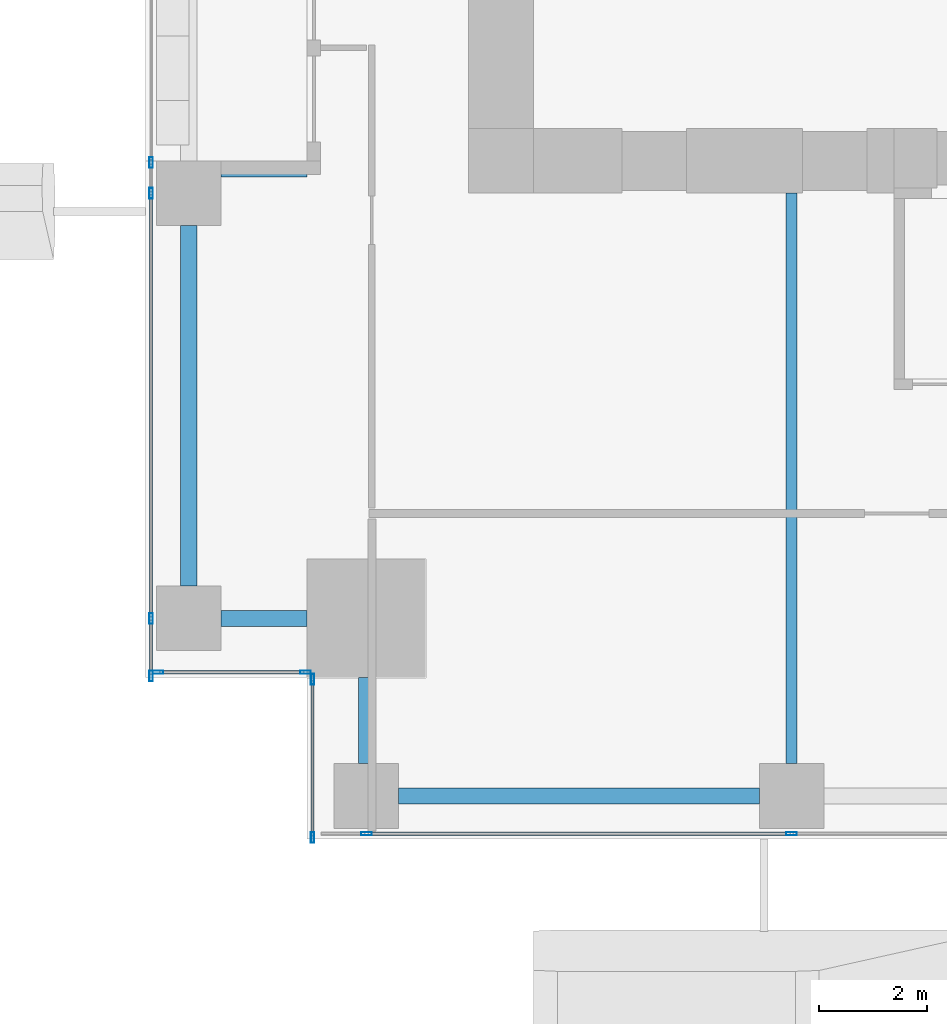
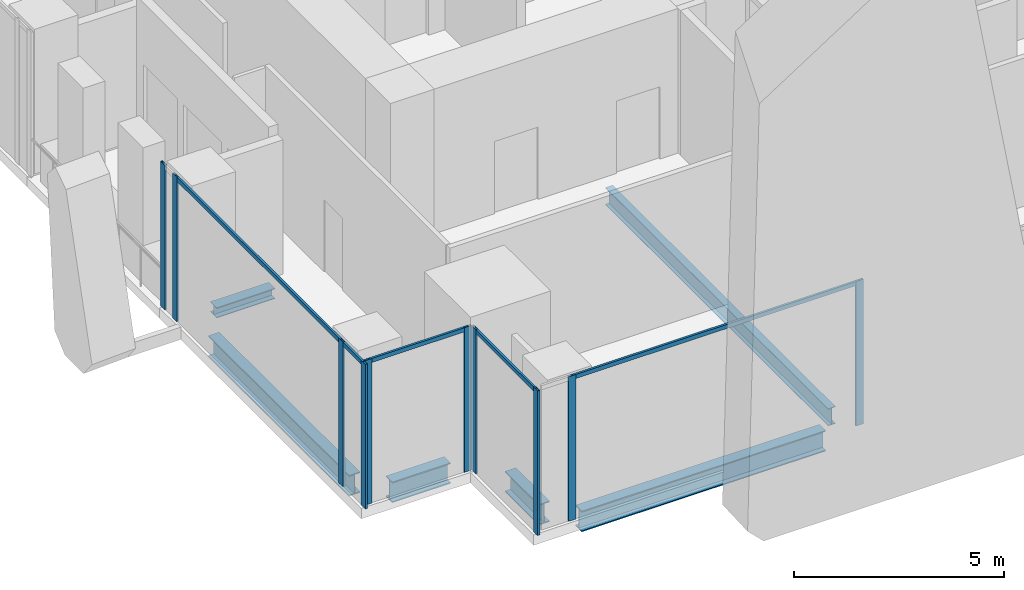
# One storey, part 2 of 34: 15 members, 6 beams, 4 elements without a shape of their own.
"""IFC4 building model written with IfcOpenShell, lengths in metres."""

import ifcopenshell
import ifcopenshell.guid

model = None  # the IFC model being written
_history = None  # IfcOwnerHistory: only IFC2X3 demands one
_inside = {}  # id of a spatial element -> (the spatial element, [elements in it])
_under = {}  # id of a project, library or spatial element -> (it, [spatial elements below it])
_declared = {}  # id of a project -> (the project, [libraries it declares])
_typed = {}  # id of a type object -> (the type object, [elements of that type])
_made_of = {}  # id of a material, layer set ... -> (it, [elements and type objects made of it])


def new_model(schema):
    """Start an empty IFC model of exactly this schema.

    Asked for "IFC4X3", IfcOpenShell would pick the latest addendum, in which some entities
    have other attributes; the version numbers below select the first issue.
    IFC2X3 requires an IfcOwnerHistory on every rooted entity: one is made here for all.
    """
    global model, _history
    if schema == "IFC4X3":
        model = ifcopenshell.file(schema_version=(4, 3, 0, 0))
    else:
        model = ifcopenshell.file(schema=schema)
    _inside.clear()
    _under.clear()
    _declared.clear()
    _typed.clear()
    _made_of.clear()
    _history = None
    if model.schema == "IFC2X3":
        org = make("IfcOrganization", Name="unknown")
        user = make(
            "IfcPersonAndOrganization",
            ThePerson=make("IfcPerson", FamilyName="unknown"),
            TheOrganization=org,
        )
        app = make(
            "IfcApplication",
            ApplicationDeveloper=org,
            Version="unknown",
            ApplicationFullName="unknown",
            ApplicationIdentifier="unknown",
        )
        _history = make(
            "IfcOwnerHistory",
            OwningUser=user,
            OwningApplication=app,
            ChangeAction="ADDED",
            CreationDate=0,
        )
    return model


def make(cls, **values):
    """One entity of the class cls with the attributes given. An attribute that is None is left unset."""
    return model.create_entity(
        cls, **{name: value for name, value in values.items() if value is not None}
    )


def rooted(cls, **values):
    """An entity with a GlobalId (a new one), such as an element, a storey or a relation."""
    return make(cls, GlobalId=ifcopenshell.guid.new(), OwnerHistory=_history, **values)


def si_unit(unit_type, name, prefix=None):
    """IfcSIUnit, for example si_unit("LENGTHUNIT", "METRE", prefix="MILLI")."""
    return make("IfcSIUnit", UnitType=unit_type, Prefix=prefix, Name=name)


def assignment(units):
    """IfcUnitAssignment: the units of a project."""
    return None if units is None else make("IfcUnitAssignment", Units=units)


def point(xyz):
    """IfcCartesianPoint."""
    return None if xyz is None else make("IfcCartesianPoint", Coordinates=xyz)


def direction(xyz):
    """IfcDirection."""
    return None if xyz is None else make("IfcDirection", DirectionRatios=xyz)


def frame(location, z_axis=None, x_axis=None):
    """IfcAxis2Placement3D, a coordinate frame: its origin and axes. An axis left out is left unset."""
    return make(
        "IfcAxis2Placement3D",
        Location=point(location),
        Axis=direction(z_axis),
        RefDirection=direction(x_axis),
    )


def frame_2d(location, x_axis=None):
    """IfcAxis2Placement2D, a coordinate frame in the plane: its origin and x axis."""
    return make(
        "IfcAxis2Placement2D", Location=point(location), RefDirection=direction(x_axis)
    )


def origin():
    """The frame at (0, 0, 0) with its axes left unset."""
    return frame((0.0, 0.0, 0.0))


def origin_2d():
    """The frame at (0, 0) in the plane with its x axis left unset."""
    return frame_2d((0.0, 0.0))


def place(relative_to, where):
    """IfcLocalPlacement: puts the frame where relative to a parent placement (None: the world)."""
    return make(
        "IfcLocalPlacement", PlacementRelTo=relative_to, RelativePlacement=where
    )


def context(
    kind, dimensions, precision=None, world=None, true_north=None, identifier=None
):
    """IfcGeometricRepresentationContext, for example the 3D "Model" context."""
    return make(
        "IfcGeometricRepresentationContext",
        ContextIdentifier=identifier,
        ContextType=kind,
        CoordinateSpaceDimension=dimensions,
        Precision=precision,
        WorldCoordinateSystem=world,
        TrueNorth=true_north,
    )


def subcontext(parent, identifier, kind, view, scale=None):
    """IfcGeometricRepresentationSubContext, for example "Body" below "Model"."""
    return make(
        "IfcGeometricRepresentationSubContext",
        ContextIdentifier=identifier,
        ContextType=kind,
        ParentContext=parent,
        TargetScale=scale,
        TargetView=view,
    )


def project(units=None, contexts=None):
    """IfcProject with its units and contexts."""
    return rooted(
        "IfcProject",
        Name="project",
        RepresentationContexts=contexts,
        UnitsInContext=assignment(units),
    )


def spatial(cls, under=None, at=None, **own):
    """A site, building, storey or space (cls), placed at a placement, below another one or the project."""
    s = rooted(cls, ObjectPlacement=at, **own)
    if under is not None:
        _under.setdefault(under.id(), (under, []))[1].append(s)
    return s


def profile(cls, at=None, kind="AREA", **sizes):
    """A parametric profile (cls). Its sizes go by their IFC names, for example OverallWidth=200.0."""
    return make(cls, ProfileType=kind, Position=at, **sizes)


def hollow_rectangle(**sizes):
    """IfcRectangleHollowProfileDef."""
    return profile("IfcRectangleHollowProfileDef", **sizes)


def i_section(**sizes):
    """IfcIShapeProfileDef."""
    return profile("IfcIShapeProfileDef", **sizes)


def extrude(swept, where, along, depth):
    """IfcExtrudedAreaSolid: the profile swept, set in the frame where, extruded along a direction by depth."""
    return make(
        "IfcExtrudedAreaSolid",
        SweptArea=swept,
        Position=where,
        ExtrudedDirection=direction(along),
        Depth=depth,
    )


def shape(context_of_items, identifier, shape_type, items):
    """IfcShapeRepresentation: the items that make up one representation, for example the "Body"."""
    return make(
        "IfcShapeRepresentation",
        ContextOfItems=context_of_items,
        RepresentationIdentifier=identifier,
        RepresentationType=shape_type,
        Items=items,
    )


def source(mapping_origin, context_of_items, identifier, shape_type, items):
    """IfcRepresentationMap: a shape defined once, which mapped items show again and again."""
    return make(
        "IfcRepresentationMap",
        MappingOrigin=mapping_origin,
        MappedRepresentation=shape(context_of_items, identifier, shape_type, items),
    )


def transform(
    local_origin,
    x_axis=None,
    y_axis=None,
    z_axis=None,
    scale=None,
    scale2=None,
    scale3=None,
    uniform=True,
):
    """IfcCartesianTransformationOperator3D, or its non-uniform kind. x_axis, y_axis, z_axis: its Axis1, 2, 3."""
    if uniform:
        return make(
            "IfcCartesianTransformationOperator3D",
            Axis1=direction(x_axis),
            Axis2=direction(y_axis),
            LocalOrigin=point(local_origin),
            Scale=scale,
            Axis3=direction(z_axis),
        )
    return make(
        "IfcCartesianTransformationOperator3DnonUniform",
        Axis1=direction(x_axis),
        Axis2=direction(y_axis),
        LocalOrigin=point(local_origin),
        Scale=scale,
        Axis3=direction(z_axis),
        Scale2=scale2,
        Scale3=scale3,
    )


def mapped(mapping_source, mapping_target):
    """IfcMappedItem: shows the shape of a source again, moved by a transform."""
    return make(
        "IfcMappedItem", MappingSource=mapping_source, MappingTarget=mapping_target
    )


def material(Name=None, Category=None):
    """IfcMaterial."""
    return make("IfcMaterial", Name=Name, Category=Category)


def material_profile(
    of_material, cross_section, Name=None, Category=None, Priority=None
):
    """IfcMaterialProfile: a cross section and its material."""
    return make(
        "IfcMaterialProfile",
        Name=Name,
        Material=of_material,
        Profile=cross_section,
        Priority=Priority,
        Category=Category,
    )


def profile_set(profiles, Name=None, composite=None):
    """IfcMaterialProfileSet."""
    return make(
        "IfcMaterialProfileSet",
        Name=Name,
        MaterialProfiles=profiles,
        CompositeProfile=composite,
    )


def made_of(thing, what):
    """Note that an element or type object is made of a material, layer set ...; save() writes the relation."""
    if what is not None:
        _made_of.setdefault(what.id(), (what, []))[1].append(thing)
    return thing


def type_object(cls, material=None, **own):
    """A type object (cls), such as IfcWallType, which elements share."""
    return made_of(rooted(cls, **own), material)


def element(
    cls,
    number,
    at=None,
    inside=None,
    cuts=None,
    type_object=None,
    material=None,
    context=None,
    identifier="Body",
    shape_type=None,
    held_by="IfcProductDefinitionShape",
    body=None,
    shapes=None,
    **own,
):
    """One element of the class cls, such as IfcWall. Its Tag is "e" and its number.

    at: its placement. inside: the storey or other place that contains it. cuts: it is an
    opening in that element (IfcRelVoidsElement). A single representation is given by context,
    identifier, shape_type and body (its items); several are given by shapes. held_by: the class
    of the entity that holds the representations. save() writes the other relations.
    """
    e = rooted(cls, Tag="e%d" % number, ObjectPlacement=at, **own)
    if body is not None:
        shapes = [shape(context, identifier, shape_type, body)]
    if shapes is not None:
        e.Representation = make(held_by, Representations=shapes)
    if inside is not None:
        _inside.setdefault(inside.id(), (inside, []))[1].append(e)
    if cuts is not None:
        rooted(
            "IfcRelVoidsElement", RelatingBuildingElement=cuts, RelatedOpeningElement=e
        )
    if type_object is not None:
        _typed.setdefault(type_object.id(), (type_object, []))[1].append(e)
    return made_of(e, material)


def aggregate(whole, parts):
    """IfcRelAggregates: a whole, such as a stair, and the parts it consists of."""
    return rooted("IfcRelAggregates", RelatingObject=whole, RelatedObjects=parts)


def save(model, path):
    """Write the relations noted so far, then the file.

    IfcRelAggregates (storeys below a building ...), IfcRelContainedInSpatialStructure (elements
    in a storey), IfcRelDefinesByType, IfcRelAssociatesMaterial and IfcRelDeclares: one each for
    every whole, place, type object, material and project.
    """
    for whole, parts in _under.values():
        aggregate(whole, parts)
    for where, things in _inside.values():
        rooted(
            "IfcRelContainedInSpatialStructure",
            RelatedElements=things,
            RelatingStructure=where,
        )
    for kind, things in _typed.values():
        rooted("IfcRelDefinesByType", RelatedObjects=things, RelatingType=kind)
    for what, things in _made_of.values():
        rooted("IfcRelAssociatesMaterial", RelatedObjects=things, RelatingMaterial=what)
    for by, libraries in _declared.values():
        rooted("IfcRelDeclares", RelatingContext=by, RelatedDefinitions=libraries)
    model.write(path)


model = new_model("IFC4")

# Units and contexts
model_context = context("Model", 3, precision=1e-05, world=origin(), true_north=direction((0.0, 1.0)))
body_context = subcontext(model_context, "Body", "Model", "MODEL_VIEW")
ifc_project = project(units=[si_unit("LENGTHUNIT", "METRE"), si_unit("AREAUNIT", "SQUARE_METRE"), si_unit("VOLUMEUNIT", "CUBIC_METRE"), si_unit("PLANEANGLEUNIT", "RADIAN"), si_unit("MASSUNIT", "GRAM", prefix="KILO")], contexts=[model_context])

# Site, building, storey
site_placement = place(None, origin())
site = spatial("IfcSite", under=ifc_project, at=site_placement, CompositionType="ELEMENT")
building_placement = place(site_placement, origin())
building = spatial("IfcBuilding", under=site, at=building_placement, Name="Khomas Fold Tower", CompositionType="ELEMENT")
storey_placement = place(building_placement, frame((0.0, 0.0, 51.0)))
storey = spatial("IfcBuildingStorey", under=building, at=storey_placement, Name="L10", CompositionType="ELEMENT", Elevation=51.0)

# Beams
ifc_material_1 = material(Name="Steel S355", Category="steel")
ifc_material_profile_1 = material_profile(ifc_material_1, i_section(OverallWidth=0.199951171875, OverallDepth=0.5, WebThickness=0.01025390625, FlangeThickness=0.01611328125, at=origin_2d()), Name="IPE 500")
ifc_profile_set_1 = profile_set([ifc_material_profile_1], Name="Steel S355")
beam_type_1 = type_object("IfcBeamType", Name="IPE 500 beam JB5", PredefinedType="BEAM", material=ifc_profile_set_1)
shared_shape_1 = source(origin(), body_context, "Body", "SweptSolid", [
    extrude(i_section(OverallWidth=0.199951171875, OverallDepth=0.5, WebThickness=0.01025390625, FlangeThickness=0.01611328125, at=origin_2d()), origin(), (0.0, 0.0, 1.0), 10.60009765625),
])
beam_1_placement = place(storey_placement, frame((12.0, 1.39990234375, -0.550048828125), z_axis=(0.0, 1.0, 0.0), x_axis=(-1.0, 0.0, 0.0)))
element("IfcBeam", 1, at=beam_1_placement, inside=storey, type_object=beam_type_1, Name="JB5", PredefinedType="BEAM", context=body_context, shape_type="MappedRepresentation", body=[
    mapped(shared_shape_1, transform((0.0, 0.0, 0.0))),
])
ifc_material_2 = material(Name="Steel S355", Category="steel")
ifc_material_profile_2 = material_profile(ifc_material_2, i_section(OverallWidth=0.300048828125, OverallDepth=0.60009765625, WebThickness=0.015380859375, FlangeThickness=0.030029296875, at=origin_2d()), Name="HE 600 B")
ifc_profile_set_2 = profile_set([ifc_material_profile_2], Name="Steel S355")
beam_type_2 = type_object("IfcBeamType", Name="HE 600 B spandrel SB1", PredefinedType="SPANDREL", material=ifc_profile_set_2)
shared_shape_2 = source(origin(), body_context, "Body", "SweptSolid", [
    extrude(i_section(OverallWidth=0.300048828125, OverallDepth=0.60009765625, WebThickness=0.015380859375, FlangeThickness=0.030029296875, at=origin_2d()), origin(), (0.0, 0.0, 1.0), 6.699951171875),
])
for number, where, z_axis, x_axis, name in (
    (2, (4.699951171875, 0.800048828125, -0.60009765625), (1.0, 0.0, 0.0), (0.0, 1.0, 0.0), "SB1"),
    (3, (0.800048828125, 4.699951171875, -0.60009765625), (0.0, 1.0, 0.0), (-1.0, 0.0, 0.0), "SB1"),
):
    element("IfcBeam", number, at=place(storey_placement, frame(where, z_axis=z_axis, x_axis=x_axis)), inside=storey, type_object=beam_type_2, Name=name, PredefinedType="SPANDREL", context=body_context, shape_type="MappedRepresentation", body=[
        mapped(shared_shape_2, transform((0.0, 0.0, 0.0))),
    ])
shared_shape_3 = source(origin(), body_context, "Body", "SweptSolid", [
    extrude(i_section(OverallWidth=0.300048828125, OverallDepth=0.60009765625, WebThickness=0.015380859375, FlangeThickness=0.030029296875, at=origin_2d()), origin(), (0.0, 0.0, 1.0), 1.60009765625),
])
for number, where, z_axis, x_axis, name in (
    (4, (1.39990234375, 4.10009765625, -0.60009765625), (1.0, 0.0, 0.0), (0.0, 1.0, 0.0), "SB1"),
    (5, (4.10009765625, 1.39990234375, -0.60009765625), (0.0, 1.0, 0.0), (-1.0, 0.0, 0.0), "SB1"),
):
    element("IfcBeam", number, at=place(storey_placement, frame(where, z_axis=z_axis, x_axis=x_axis)), inside=storey, type_object=beam_type_2, Name=name, PredefinedType="SPANDREL", context=body_context, shape_type="MappedRepresentation", body=[
        mapped(shared_shape_3, transform((0.0, 0.0, 0.0))),
    ])
ifc_material_3 = material(Name="Steel S355", Category="steel")
ifc_material_profile_3 = material_profile(ifc_material_3, i_section(OverallWidth=0.300048828125, OverallDepth=0.300048828125, WebThickness=0.010986328125, FlangeThickness=0.01904296875, at=origin_2d()), Name="HE 300 B")
ifc_profile_set_3 = profile_set([ifc_material_profile_3], Name="Steel S355")
beam_type_3 = type_object("IfcBeamType", Name="HE 300 B beam BB1", PredefinedType="BEAM", material=ifc_profile_set_3)
shared_shape_4 = source(origin(), body_context, "Body", "SweptSolid", [
    extrude(i_section(OverallWidth=0.300048828125, OverallDepth=0.300048828125, WebThickness=0.010986328125, FlangeThickness=0.01904296875, at=origin_2d()), origin(), (0.0, 0.0, 1.0), 1.60009765625),
])
beam_2_placement = place(storey_placement, frame((1.39990234375, 12.449951171875, -0.449951171875), z_axis=(1.0, 0.0, 0.0), x_axis=(0.0, 1.0, 0.0)))
element("IfcBeam", 6, at=beam_2_placement, inside=storey, type_object=beam_type_3, Name="BB1", PredefinedType="BEAM", context=body_context, shape_type="MappedRepresentation", body=[
    mapped(shared_shape_4, transform((0.0, 0.0, 0.0))),
])

# Curtain wall, member
ifc_material_4 = material(Name="Aluminium framed double glazing", Category="aluminium")
curtain_wall_type = type_object("IfcCurtainWallType", Name="SK-Unitised clear-glass wall, growing floors CW1", PredefinedType="NOTDEFINED", material=ifc_material_4)
curtain_wall_1_placement = place(storey_placement, origin())
curtain_wall_1 = element("IfcCurtainWall", 7, at=curtain_wall_1_placement, inside=storey, type_object=curtain_wall_type, Name="CW1 run L10 00-0", PredefinedType="NOTDEFINED")
ifc_material_5 = material(Name="Aluminium", Category="aluminium")
ifc_material_profile_4 = material_profile(ifc_material_5, hollow_rectangle(XDim=0.06005859375, YDim=0.1201171875, WallThickness=0.00390625, at=origin_2d()), Name="SK-Unitised clear-glass wall, growing floors transom CW1-T")
ifc_profile_set_4 = profile_set([ifc_material_profile_4], Name="Aluminium")
member_type_1 = type_object("IfcMemberType", Name="SK-Unitised clear-glass wall, growing floors transom CW1-T", PredefinedType="USERDEFINED", material=ifc_profile_set_4)
shared_shape_5 = source(origin(), body_context, "Body", "SweptSolid", [
    extrude(hollow_rectangle(XDim=0.06005859375, YDim=0.1201171875, WallThickness=0.00390625, at=origin_2d()), origin(), (0.0, 0.0, 1.0), 7.840087890625),
])
member_1_placement = place(storey_placement, frame((4.1298828125, 0.10009765625, 4.139892578125), z_axis=(1.0, 0.0, 0.0), x_axis=(0.0, 1.0, 0.0)))
member_1 = element("IfcMember", 8, at=member_1_placement, type_object=member_type_1, Name="CW1 transom 2", ObjectType="TRANSOM", PredefinedType="USERDEFINED", context=body_context, shape_type="MappedRepresentation", body=[
    mapped(shared_shape_5, transform((0.0, 0.0, 0.0))),
])

# Curtain wall, members
curtain_wall_2_placement = place(storey_placement, origin())
curtain_wall_2 = element("IfcCurtainWall", 9, at=curtain_wall_2_placement, inside=storey, type_object=curtain_wall_type, Name="CW1 run L10 09-1", PredefinedType="NOTDEFINED")
member_2_placement = place(storey_placement, frame((0.10009765625, 11.969970703125, 4.139892578125), z_axis=(0.0, -1.0, 0.0), x_axis=(1.0, 0.0, 0.0)))
member_2 = element("IfcMember", 10, at=member_2_placement, type_object=member_type_1, Name="CW1 transom 2", ObjectType="TRANSOM", PredefinedType="USERDEFINED", context=body_context, shape_type="MappedRepresentation", body=[
    mapped(shared_shape_5, transform((0.0, 0.0, 0.0))),
])
shared_shape_6 = source(origin(), body_context, "Body", "SweptSolid", [
    extrude(hollow_rectangle(XDim=0.06005859375, YDim=0.1201171875, WallThickness=0.00390625, at=origin_2d()), origin(), (0.0, 0.0, 1.0), 1.010009765625),
])
member_3_placement = place(storey_placement, frame((0.10009765625, 4.070068359375, 4.139892578125), z_axis=(0.0, -1.0, 0.0), x_axis=(1.0, 0.0, 0.0)))
member_3 = element("IfcMember", 11, at=member_3_placement, type_object=member_type_1, Name="CW1 transom 3", ObjectType="TRANSOM", PredefinedType="USERDEFINED", context=body_context, shape_type="MappedRepresentation", body=[
    mapped(shared_shape_6, transform((0.0, 0.0, 0.0))),
])

# Curtain wall, member
curtain_wall_3_placement = place(storey_placement, origin())
curtain_wall_3 = element("IfcCurtainWall", 12, at=curtain_wall_3_placement, inside=storey, type_object=curtain_wall_type, Name="CW1 corner return L10 10", PredefinedType="NOTDEFINED")
shared_shape_7 = source(origin(), body_context, "Body", "SweptSolid", [
    extrude(hollow_rectangle(XDim=0.06005859375, YDim=0.1201171875, WallThickness=0.00390625, at=origin_2d()), origin(), (0.0, 0.0, 1.0), 2.679931640625),
])
member_4_placement = place(storey_placement, frame((0.260009765625, 3.10009765625, 4.139892578125), z_axis=(1.0, 0.0, 0.0), x_axis=(0.0, 1.0, 0.0)))
member_4 = element("IfcMember", 13, at=member_4_placement, type_object=member_type_1, Name="CW1 transom 1", ObjectType="TRANSOM", PredefinedType="USERDEFINED", context=body_context, shape_type="MappedRepresentation", body=[
    mapped(shared_shape_7, transform((0.0, 0.0, 0.0))),
])

curtain_wall_4_placement = place(storey_placement, origin())
curtain_wall_4 = element("IfcCurtainWall", 14, at=curtain_wall_4_placement, inside=storey, type_object=curtain_wall_type, Name="CW1 corner return L10 11", PredefinedType="NOTDEFINED")
shared_shape_8 = source(origin(), body_context, "Body", "SweptSolid", [
    extrude(hollow_rectangle(XDim=0.06005859375, YDim=0.1201171875, WallThickness=0.00390625, at=origin_2d()), origin(), (0.0, 0.0, 1.0), 2.8798828125),
])
member_5_placement = place(storey_placement, frame((3.10009765625, 2.93994140625, 4.139892578125), z_axis=(0.0, -1.0, 0.0), x_axis=(1.0, 0.0, 0.0)))
member_5 = element("IfcMember", 15, at=member_5_placement, type_object=member_type_1, Name="CW1 transom 1", ObjectType="TRANSOM", PredefinedType="USERDEFINED", context=body_context, shape_type="MappedRepresentation", body=[
    mapped(shared_shape_8, transform((0.0, 0.0, 0.0))),
])

# Member
ifc_material_6 = material(Name="Aluminium", Category="aluminium")
ifc_material_profile_5 = material_profile(ifc_material_6, hollow_rectangle(XDim=0.06005859375, YDim=0.199951171875, WallThickness=0.00390625, at=origin_2d()), Name="SK-Unitised clear-glass wall, growing floors mullion CW1-M")
ifc_profile_set_5 = profile_set([ifc_material_profile_5], Name="Aluminium")
member_type_2 = type_object("IfcMemberType", Name="SK-Unitised clear-glass wall, growing floors mullion CW1-M", PredefinedType="MULLION", material=ifc_profile_set_5)
shared_shape_9 = source(origin(), body_context, "Body", "SweptSolid", [
    extrude(hollow_rectangle(XDim=0.06005859375, YDim=0.199951171875, WallThickness=0.00390625, at=origin_2d()), origin(), (0.0, 0.0, 1.0), 4.199951171875),
])
member_6_placement = place(storey_placement, frame((4.10009765625, 0.10009765625, 0.0), z_axis=(0.0, 0.0, 1.0), x_axis=(0.0, 1.0, 0.0)))
member_6 = element("IfcMember", 16, at=member_6_placement, type_object=member_type_2, Name="CW1 mullion 2", PredefinedType="MULLION", context=body_context, shape_type="MappedRepresentation", body=[
    mapped(shared_shape_9, transform((0.0, 0.0, 0.0))),
])

member_7_placement = place(storey_placement, frame((12.0, 0.10009765625, 0.0), z_axis=(0.0, 0.0, 1.0), x_axis=(0.0, 1.0, 0.0)))
member_7 = element("IfcMember", 17, at=member_7_placement, type_object=member_type_2, Name="CW1 mullion 3", PredefinedType="MULLION", context=body_context, shape_type="MappedRepresentation", body=[
    mapped(shared_shape_9, transform((0.0, 0.0, 0.0))),
])

aggregate(curtain_wall_1, [member_6, member_7, member_1])

member_8_placement = place(storey_placement, frame((0.10009765625, 12.570068359375, 0.0), z_axis=(0.0, 0.0, 1.0), x_axis=(1.0, 0.0, 0.0)))
member_8 = element("IfcMember", 18, at=member_8_placement, type_object=member_type_2, Name="CW1 mullion 1", PredefinedType="MULLION", context=body_context, shape_type="MappedRepresentation", body=[
    mapped(shared_shape_9, transform((0.0, 0.0, 0.0))),
])

member_9_placement = place(storey_placement, frame((0.10009765625, 12.0, 0.0), z_axis=(0.0, 0.0, 1.0), x_axis=(1.0, 0.0, 0.0)))
member_9 = element("IfcMember", 19, at=member_9_placement, type_object=member_type_2, Name="CW1 mullion 2", PredefinedType="MULLION", context=body_context, shape_type="MappedRepresentation", body=[
    mapped(shared_shape_9, transform((0.0, 0.0, 0.0))),
])

member_10_placement = place(storey_placement, frame((0.10009765625, 4.10009765625, 0.0), z_axis=(0.0, 0.0, 1.0), x_axis=(1.0, 0.0, 0.0)))
member_10 = element("IfcMember", 20, at=member_10_placement, type_object=member_type_2, Name="CW1 mullion 3", PredefinedType="MULLION", context=body_context, shape_type="MappedRepresentation", body=[
    mapped(shared_shape_9, transform((0.0, 0.0, 0.0))),
])

member_11_placement = place(storey_placement, frame((0.10009765625, 3.030029296875, 0.0), z_axis=(0.0, 0.0, 1.0), x_axis=(1.0, 0.0, 0.0)))
member_11 = element("IfcMember", 21, at=member_11_placement, type_object=member_type_2, Name="CW1 mullion 4", PredefinedType="MULLION", context=body_context, shape_type="MappedRepresentation", body=[
    mapped(shared_shape_9, transform((0.0, 0.0, 0.0))),
])

aggregate(curtain_wall_2, [member_8, member_9, member_10, member_11, member_2, member_3])

member_12_placement = place(storey_placement, frame((0.22998046875, 3.10009765625, 0.0), z_axis=(0.0, 0.0, 1.0), x_axis=(0.0, 1.0, 0.0)))
member_12 = element("IfcMember", 22, at=member_12_placement, type_object=member_type_2, Name="CW1 mullion 1", PredefinedType="MULLION", context=body_context, shape_type="MappedRepresentation", body=[
    mapped(shared_shape_9, transform((0.0, 0.0, 0.0))),
])

member_13_placement = place(storey_placement, frame((2.969970703125, 3.10009765625, 0.0), z_axis=(0.0, 0.0, 1.0), x_axis=(0.0, 1.0, 0.0)))
member_13 = element("IfcMember", 23, at=member_13_placement, type_object=member_type_2, Name="CW1 mullion 2", PredefinedType="MULLION", context=body_context, shape_type="MappedRepresentation", body=[
    mapped(shared_shape_9, transform((0.0, 0.0, 0.0))),
])

aggregate(curtain_wall_3, [member_12, member_13, member_4])

member_14_placement = place(storey_placement, frame((3.10009765625, 2.969970703125, 0.0), z_axis=(0.0, 0.0, 1.0), x_axis=(1.0, 0.0, 0.0)))
member_14 = element("IfcMember", 24, at=member_14_placement, type_object=member_type_2, Name="CW1 mullion 1", PredefinedType="MULLION", context=body_context, shape_type="MappedRepresentation", body=[
    mapped(shared_shape_9, transform((0.0, 0.0, 0.0))),
])

member_15_placement = place(storey_placement, frame((3.10009765625, 0.030029296875, 0.0), z_axis=(0.0, 0.0, 1.0), x_axis=(1.0, 0.0, 0.0)))
member_15 = element("IfcMember", 25, at=member_15_placement, type_object=member_type_2, Name="CW1 mullion 2", PredefinedType="MULLION", context=body_context, shape_type="MappedRepresentation", body=[
    mapped(shared_shape_9, transform((0.0, 0.0, 0.0))),
])

aggregate(curtain_wall_4, [member_14, member_15, member_5])

save(model, "model.ifc")
